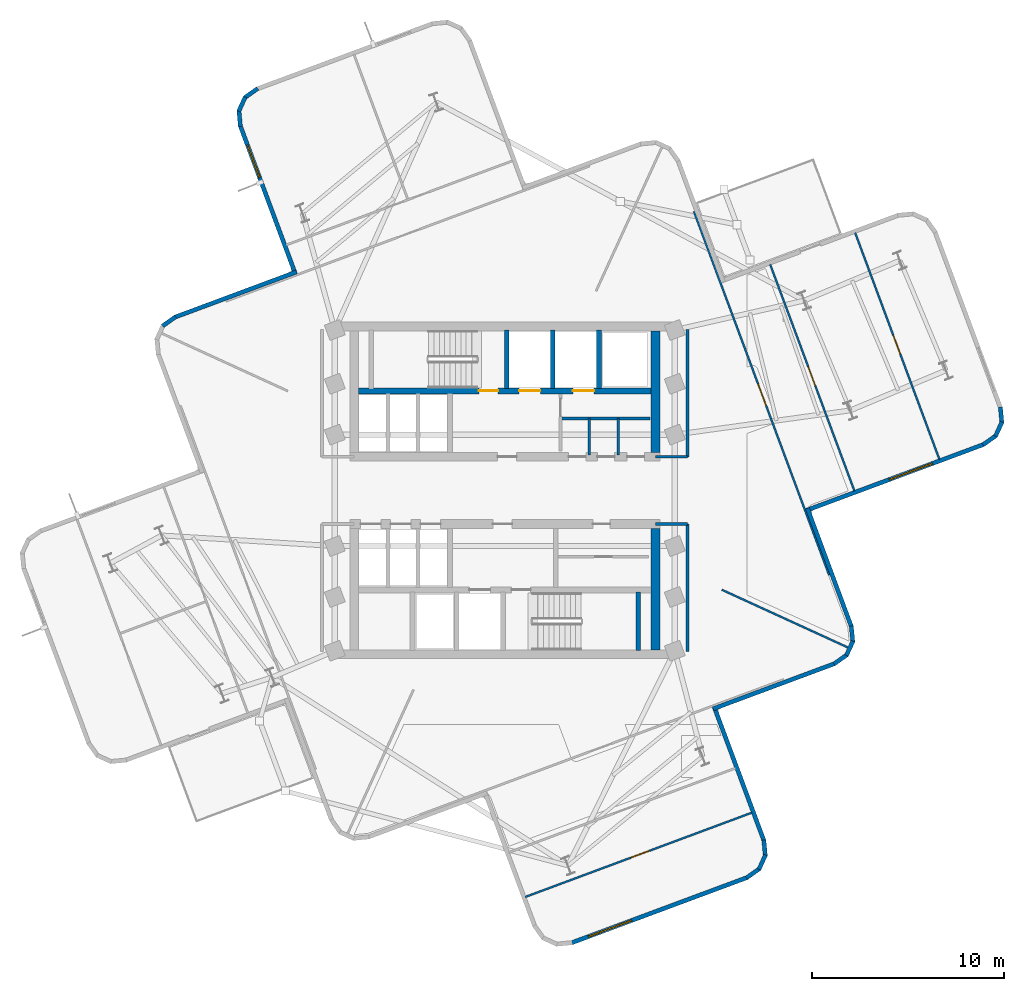
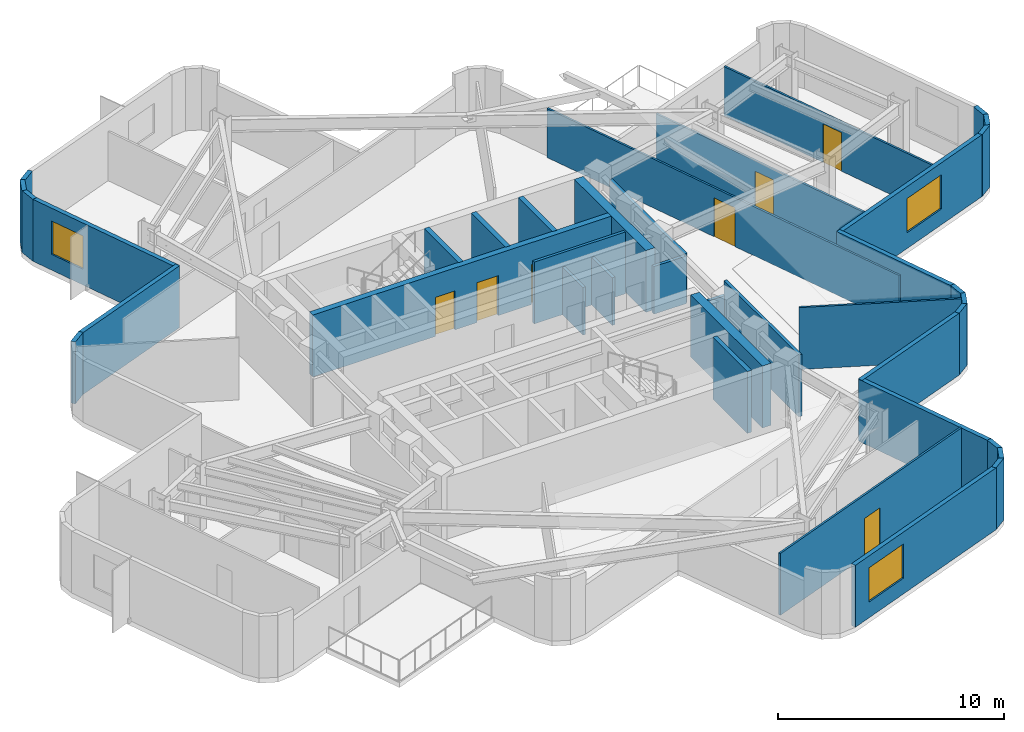
# One storey, part 4 of 8: 39 walls, 7 doors, 3 windows, 10 openings.
"""IFC4 building model written with IfcOpenShell, lengths in metres."""

from ifc_helpers import new_model, si_unit, direction, frame, frame_2d, origin, place, context, subcontext, project, spatial, rectangle, extrude, material, layer, layer_set, type_object, element, fill, save


model = new_model("IFC4")

# Units and contexts
model_context = context("Model", 3, precision=1e-05, world=origin(), true_north=direction((0.0, 1.0)))
body_context = subcontext(model_context, "Body", "Model", "MODEL_VIEW")
ifc_project = project(units=[si_unit("LENGTHUNIT", "METRE"), si_unit("AREAUNIT", "SQUARE_METRE"), si_unit("VOLUMEUNIT", "CUBIC_METRE"), si_unit("PLANEANGLEUNIT", "RADIAN"), si_unit("MASSUNIT", "GRAM", prefix="KILO")], contexts=[model_context])

# Site, building, storey
site_placement = place(None, origin())
site = spatial("IfcSite", under=ifc_project, at=site_placement, CompositionType="ELEMENT")
building_placement = place(site_placement, origin())
building = spatial("IfcBuilding", under=site, at=building_placement, Name="Solmarez Civic Tower", CompositionType="ELEMENT")
storey_placement = place(building_placement, frame((0.0, 0.0, 166.679931640625)))
storey = spatial("IfcBuildingStorey", under=building, at=storey_placement, Name="L44", CompositionType="ELEMENT", Elevation=166.679931640625)

# Walls
ifc_material_1 = material(Name="Concrete C50/60", Category="concrete")
ifc_layer_1 = layer(ifc_material_1, 0.449951171875)
ifc_layer_set_1 = layer_set([ifc_layer_1], Name="Concrete C50/60")
wall_type_1 = type_object("IfcWallType", Name="WALL-CORE-450", PredefinedType="SHEAR", material=ifc_layer_set_1)
for number, where, z_axis, x_axis, name in (
    (1, (7.844970703125, 8.31005859375, 0.0), (0.0, 0.0, 1.0), (0.0, -1.0, 0.0), "L44 Split-Core Structural Wall NCW-E-L44"),
    (2, (7.844970703125, -1.97509765625, 0.0), (0.0, 0.0, 1.0), (0.0, -1.0, 0.0), "L44 Split-Core Structural Wall SCW-E-L44"),
):
    element("IfcWall", number, at=place(storey_placement, frame(where, z_axis=z_axis, x_axis=x_axis)), inside=storey, type_object=wall_type_1, Name=name, PredefinedType="SHEAR", context=body_context, shape_type="SweptSolid", body=[
        extrude(rectangle(XDim=6.3349609375, YDim=0.449951171875, at=frame_2d((3.16748046875, 0.0))), origin(), (0.0, 0.0, 1.0), 3.340087890625),
    ])
ifc_material_2 = material(Name="Precast concrete C40/50", Category="concrete")
ifc_layer_2 = layer(ifc_material_2, 0.219970703125)
ifc_layer_set_2 = layer_set([ifc_layer_2], Name="Precast concrete C40/50")
wall_type_2 = type_object("IfcWallType", Name="WALL-EXT-220", PredefinedType="SOLIDWALL", material=ifc_layer_set_2)
wall_1_placement = place(storey_placement, frame((-17.81689453125, 8.556884765625, 0.0), z_axis=(0.0, 0.0, 1.0), x_axis=(0.815315167698, 0.579017424022, 0.0)))
element("IfcWall", 3, at=wall_1_placement, inside=storey, type_object=wall_type_2, Name="L44 Exterior Precast Wall 16", PredefinedType="SOLIDWALL", context=body_context, shape_type="SweptSolid", body=[
    extrude(rectangle(XDim=0.832763671875, YDim=0.219970703125, at=frame_2d((0.41650390625, 0.0))), origin(), (0.0, 0.0, 1.0), 3.340087890625),
])
wall_2_placement = place(storey_placement, frame((-17.180908203125, 9.01611328125, 0.0), z_axis=(0.0, 0.0, 1.0), x_axis=(0.937216908499, 0.34874699486, 0.0)))
element("IfcWall", 4, at=wall_2_placement, inside=storey, type_object=wall_type_2, Name="L44 Exterior Precast Wall 17", PredefinedType="SOLIDWALL", context=body_context, shape_type="SweptSolid", body=[
    extrude(rectangle(XDim=6.75830078125, YDim=0.219970703125, at=frame_2d((3.379150390625, 0.0))), origin(), (0.0, 0.0, 1.0), 3.340087890625),
])

# Wall, opening, window
wall_3_placement = place(storey_placement, frame((-10.89794921875, 11.260009765625, 0.0), z_axis=(0.0, 0.0, 1.0), x_axis=(-0.348682373258, 0.937240952252, 0.0)))
wall_3 = element("IfcWall", 5, at=wall_3_placement, inside=storey, type_object=wall_type_2, Name="L44 Exterior Precast Wall 20", PredefinedType="SOLIDWALL", context=body_context, shape_type="SweptSolid", body=[
    extrude(rectangle(XDim=8.25732421875, YDim=0.219970703125, at=frame_2d((4.128662109375, 0.0))), origin(), (0.0, 0.0, 1.0), 3.340087890625),
])
opening_1_placement = place(wall_3_placement, frame((5.35693359375, 0.0, 0.85009765625)))
opening_1 = element("IfcOpeningElement", 6, at=opening_1_placement, cuts=wall_3, Name="Opening W-08", PredefinedType="OPENING", context=body_context, shape_type="SweptSolid", body=[
    extrude(rectangle(XDim=1.800048828125, YDim=1.800048828125, at=frame_2d((0.89990234375, 0.89990234375))), frame((0.0, 0.119873046875, 0.0), z_axis=(0.0, -1.0, 0.0), x_axis=(1.0, 0.0, 0.0)), (0.0, 0.0, 1.0), 0.239990234375),
])
ifc_material_3 = material(Name="Solar Control Bronze-Tinted Insulating Glass", Category="glass")
window_type_1 = type_object("IfcWindowType", Name="WIN-1800X1800", PartitioningType="SINGLE_PANEL", PredefinedType="WINDOW", material=ifc_material_3)
window_1_placement = place(opening_1_placement, origin())
window_1 = element("IfcWindow", 7, at=window_1_placement, inside=storey, type_object=window_type_1, Name="L44 Exterior Facade Window 20", OverallHeight=1.800048828125, OverallWidth=1.800048828125, PartitioningType="SINGLE_PANEL", PredefinedType="WINDOW", context=body_context, shape_type="SweptSolid", body=[
    extrude(rectangle(XDim=1.800048828125, YDim=1.800048828125, at=frame_2d((0.89990234375, 0.89990234375))), frame((0.0, 0.030029296875, 0.0), z_axis=(0.0, -1.0, 0.0), x_axis=(1.0, 0.0, 0.0)), (0.0, 0.0, 1.0), 0.06005859375),
])
fill(opening_1, window_1)

# Walls
wall_4_placement = place(storey_placement, frame((-13.76611328125, 18.950927734375, 0.0), z_axis=(0.0, 0.0, 1.0), x_axis=(-0.09330446586, 0.995637623159, 0.0)))
element("IfcWall", 8, at=wall_4_placement, inside=storey, type_object=wall_type_2, Name="L44 Exterior Precast Wall 21", PredefinedType="SOLIDWALL", context=body_context, shape_type="SweptSolid", body=[
    extrude(rectangle(XDim=0.834716796875, YDim=0.219970703125, at=frame_2d((0.41748046875, 0.0))), origin(), (0.0, 0.0, 1.0), 3.340087890625),
])
wall_5_placement = place(storey_placement, frame((-13.85205078125, 19.73388671875, 0.0), z_axis=(0.0, 0.0, 1.0), x_axis=(0.41476734413, 0.909927497245, 0.0)))
element("IfcWall", 9, at=wall_5_placement, inside=storey, type_object=wall_type_2, Name="L44 Exterior Precast Wall 22", PredefinedType="SOLIDWALL", context=body_context, shape_type="SweptSolid", body=[
    extrude(rectangle(XDim=0.820068359375, YDim=0.219970703125, at=frame_2d((0.41015625, 0.0))), origin(), (0.0, 0.0, 1.0), 3.340087890625),
])
wall_6_placement = place(storey_placement, frame((-13.5419921875, 20.443115234375, 0.0), z_axis=(0.0, 0.0, 1.0), x_axis=(0.815845967165, 0.578269277984, 0.0)))
element("IfcWall", 10, at=wall_6_placement, inside=storey, type_object=wall_type_2, Name="L44 Exterior Precast Wall 23", PredefinedType="SOLIDWALL", context=body_context, shape_type="SweptSolid", body=[
    extrude(rectangle(XDim=0.83349609375, YDim=0.219970703125, at=frame_2d((0.416748046875, 0.0))), origin(), (0.0, 0.0, 1.0), 3.340087890625),
])
wall_7_placement = place(storey_placement, frame((25.801025390625, 4.343994140625, 0.0), z_axis=(0.0, 0.0, 1.0), x_axis=(0.09225198338, -0.995735693627, 0.0)))
element("IfcWall", 11, at=wall_7_placement, inside=storey, type_object=wall_type_2, Name="L44 Exterior Precast Wall 43", PredefinedType="SOLIDWALL", context=body_context, shape_type="SweptSolid", body=[
    extrude(rectangle(XDim=0.833740234375, YDim=0.219970703125, at=frame_2d((0.4169921875, 0.0))), origin(), (0.0, 0.0, 1.0), 3.340087890625),
])
wall_8_placement = place(storey_placement, frame((25.885986328125, 3.56201171875, 0.0), z_axis=(0.0, 0.0, 1.0), x_axis=(-0.41476734413, -0.909927497245, 0.0)))
element("IfcWall", 12, at=wall_8_placement, inside=storey, type_object=wall_type_2, Name="L44 Exterior Precast Wall 44", PredefinedType="SOLIDWALL", context=body_context, shape_type="SweptSolid", body=[
    extrude(rectangle(XDim=0.820068359375, YDim=0.219970703125, at=frame_2d((0.41015625, 0.0))), origin(), (0.0, 0.0, 1.0), 3.340087890625),
])
wall_9_placement = place(storey_placement, frame((25.575927734375, 2.85302734375, 0.0), z_axis=(0.0, 0.0, 1.0), x_axis=(-0.815453569677, -0.578822490666, 0.0)))
element("IfcWall", 13, at=wall_9_placement, inside=storey, type_object=wall_type_2, Name="L44 Exterior Precast Wall 45", PredefinedType="SOLIDWALL", context=body_context, shape_type="SweptSolid", body=[
    extrude(rectangle(XDim=0.83251953125, YDim=0.219970703125, at=frame_2d((0.416259765625, 0.0))), origin(), (0.0, 0.0, 1.0), 3.340087890625),
])

# Wall, opening, window
wall_10_placement = place(storey_placement, frame((24.93994140625, 2.39404296875, 0.0), z_axis=(0.0, 0.0, 1.0), x_axis=(-0.937259115868, -0.348633546468, 0.0)))
wall_10 = element("IfcWall", 14, at=wall_10_placement, inside=storey, type_object=wall_type_2, Name="L44 Exterior Precast Wall 46", PredefinedType="SOLIDWALL", context=body_context, shape_type="SweptSolid", body=[
    extrude(rectangle(XDim=9.858642578125, YDim=0.219970703125, at=frame_2d((4.92919921875, 0.0))), origin(), (0.0, 0.0, 1.0), 3.340087890625),
])
opening_2_placement = place(wall_10_placement, frame((2.85009765625, 0.0, 0.85009765625)))
opening_2 = element("IfcOpeningElement", 15, at=opening_2_placement, cuts=wall_10, Name="Opening W-06", PredefinedType="OPENING", context=body_context, shape_type="SweptSolid", body=[
    extrude(rectangle(XDim=2.39990234375, YDim=1.85009765625, at=frame_2d((1.199951171875, 0.925048828125))), frame((0.0, 0.119873046875, 0.0), z_axis=(0.0, -1.0, 0.0), x_axis=(1.0, 0.0, 0.0)), (0.0, 0.0, 1.0), 0.239990234375),
])
window_type_2 = type_object("IfcWindowType", Name="WIN-2400X1850", PartitioningType="SINGLE_PANEL", PredefinedType="WINDOW", material=ifc_material_3)
window_2_placement = place(opening_2_placement, origin())
window_2 = element("IfcWindow", 16, at=window_2_placement, inside=storey, type_object=window_type_2, Name="L44 Exterior Facade Window 46", OverallHeight=1.85009765625, OverallWidth=2.39990234375, PartitioningType="SINGLE_PANEL", PredefinedType="WINDOW", context=body_context, shape_type="SweptSolid", body=[
    extrude(rectangle(XDim=2.39990234375, YDim=1.85009765625, at=frame_2d((1.199951171875, 0.925048828125))), frame((0.0, 0.030029296875, 0.0), z_axis=(0.0, -1.0, 0.0), x_axis=(1.0, 0.0, 0.0)), (0.0, 0.0, 1.0), 0.06005859375),
])
fill(opening_2, window_2)

# Walls
wall_11_placement = place(storey_placement, frame((15.7509765625, -0.929931640625, 0.0), z_axis=(0.0, 0.0, 1.0), x_axis=(0.348729932868, -0.937223257246, 0.0)))
element("IfcWall", 17, at=wall_11_placement, inside=storey, type_object=wall_type_2, Name="L44 Exterior Precast Wall 49", PredefinedType="SOLIDWALL", context=body_context, shape_type="SweptSolid", body=[
    extrude(rectangle(XDim=6.598388671875, YDim=0.219970703125, at=frame_2d((3.29931640625, 0.0))), origin(), (0.0, 0.0, 1.0), 3.340087890625),
])
wall_12_placement = place(storey_placement, frame((18.041015625, -7.06591796875, 0.0), z_axis=(0.0, 0.0, 1.0), x_axis=(0.09330446586, -0.995637623159, 0.0)))
element("IfcWall", 18, at=wall_12_placement, inside=storey, type_object=wall_type_2, Name="L44 Exterior Precast Wall 50", PredefinedType="SOLIDWALL", context=body_context, shape_type="SweptSolid", body=[
    extrude(rectangle(XDim=0.834716796875, YDim=0.219970703125, at=frame_2d((0.41748046875, 0.0))), origin(), (0.0, 0.0, 1.0), 3.340087890625),
])
wall_13_placement = place(storey_placement, frame((18.126953125, -7.84912109375, 0.0), z_axis=(0.0, 0.0, 1.0), x_axis=(-0.415083126143, -0.909783489843, 0.0)))
element("IfcWall", 19, at=wall_13_placement, inside=storey, type_object=wall_type_2, Name="L44 Exterior Precast Wall 51", PredefinedType="SOLIDWALL", context=body_context, shape_type="SweptSolid", body=[
    extrude(rectangle(XDim=0.81884765625, YDim=0.219970703125, at=frame_2d((0.409423828125, 0.0))), origin(), (0.0, 0.0, 1.0), 3.340087890625),
])
wall_14_placement = place(storey_placement, frame((17.81689453125, -8.556884765625, 0.0), z_axis=(0.0, 0.0, 1.0), x_axis=(-0.815315167698, -0.579017424022, 0.0)))
element("IfcWall", 20, at=wall_14_placement, inside=storey, type_object=wall_type_2, Name="L44 Exterior Precast Wall 52", PredefinedType="SOLIDWALL", context=body_context, shape_type="SweptSolid", body=[
    extrude(rectangle(XDim=0.832763671875, YDim=0.219970703125, at=frame_2d((0.41650390625, 0.0))), origin(), (0.0, 0.0, 1.0), 3.340087890625),
])
wall_15_placement = place(storey_placement, frame((17.180908203125, -9.01611328125, 0.0), z_axis=(0.0, 0.0, 1.0), x_axis=(-0.937216908499, -0.34874699486, 0.0)))
element("IfcWall", 21, at=wall_15_placement, inside=storey, type_object=wall_type_2, Name="L44 Exterior Precast Wall 53", PredefinedType="SOLIDWALL", context=body_context, shape_type="SweptSolid", body=[
    extrude(rectangle(XDim=6.75830078125, YDim=0.219970703125, at=frame_2d((3.379150390625, 0.0))), origin(), (0.0, 0.0, 1.0), 3.340087890625),
])
wall_16_placement = place(storey_placement, frame((10.89794921875, -11.260009765625, 0.0), z_axis=(0.0, 0.0, 1.0), x_axis=(0.348636078187, -0.937258174137, 0.0)))
element("IfcWall", 22, at=wall_16_placement, inside=storey, type_object=wall_type_2, Name="L44 Exterior Precast Wall 56", PredefinedType="SOLIDWALL", context=body_context, shape_type="SweptSolid", body=[
    extrude(rectangle(XDim=7.4580078125, YDim=0.219970703125, at=frame_2d((3.72900390625, 0.0))), origin(), (0.0, 0.0, 1.0), 3.340087890625),
])
wall_17_placement = place(storey_placement, frame((13.487060546875, -18.201904296875, 0.0), z_axis=(0.0, 0.0, 1.0), x_axis=(0.093413278521, -0.99562741997, 0.0)))
element("IfcWall", 23, at=wall_17_placement, inside=storey, type_object=wall_type_2, Name="L44 Exterior Precast Wall 57", PredefinedType="SOLIDWALL", context=body_context, shape_type="SweptSolid", body=[
    extrude(rectangle(XDim=0.833740234375, YDim=0.219970703125, at=frame_2d((0.4169921875, 0.0))), origin(), (0.0, 0.0, 1.0), 3.340087890625),
])
wall_18_placement = place(storey_placement, frame((13.572998046875, -18.98388671875, 0.0), z_axis=(0.0, 0.0, 1.0), x_axis=(-0.41476734413, -0.909927497245, 0.0)))
element("IfcWall", 24, at=wall_18_placement, inside=storey, type_object=wall_type_2, Name="L44 Exterior Precast Wall 58", PredefinedType="SOLIDWALL", context=body_context, shape_type="SweptSolid", body=[
    extrude(rectangle(XDim=0.820068359375, YDim=0.219970703125, at=frame_2d((0.41015625, 0.0))), origin(), (0.0, 0.0, 1.0), 3.340087890625),
])
wall_19_placement = place(storey_placement, frame((13.262939453125, -19.693115234375, 0.0), z_axis=(0.0, 0.0, 1.0), x_axis=(-0.815453569677, -0.578822490666, 0.0)))
element("IfcWall", 25, at=wall_19_placement, inside=storey, type_object=wall_type_2, Name="L44 Exterior Precast Wall 59", PredefinedType="SOLIDWALL", context=body_context, shape_type="SweptSolid", body=[
    extrude(rectangle(XDim=0.83251953125, YDim=0.219970703125, at=frame_2d((0.416259765625, 0.0))), origin(), (0.0, 0.0, 1.0), 3.340087890625),
])

# Wall, opening, window
wall_20_placement = place(storey_placement, frame((12.626953125, -20.152099609375, 0.0), z_axis=(0.0, 0.0, 1.0), x_axis=(-0.937257326037, -0.348638358175, 0.0)))
wall_20 = element("IfcWall", 26, at=wall_20_placement, inside=storey, type_object=wall_type_2, Name="L44 Exterior Precast Wall 60", PredefinedType="SOLIDWALL", context=body_context, shape_type="SweptSolid", body=[
    extrude(rectangle(XDim=9.78076171875, YDim=0.219970703125, at=frame_2d((4.890380859375, 0.0))), origin(), (0.0, 0.0, 1.0), 3.340087890625),
])
opening_3_placement = place(wall_20_placement, frame((6.428955078125, 0.0, 0.85009765625)))
opening_3 = element("IfcOpeningElement", 27, at=opening_3_placement, cuts=wall_20, Name="Opening W-06", PredefinedType="OPENING", context=body_context, shape_type="SweptSolid", body=[
    extrude(rectangle(XDim=2.39990234375, YDim=1.85009765625, at=frame_2d((1.199951171875, 0.925048828125))), frame((0.0, 0.119873046875, 0.0), z_axis=(0.0, -1.0, 0.0), x_axis=(1.0, 0.0, 0.0)), (0.0, 0.0, 1.0), 0.239990234375),
])
window_3_placement = place(opening_3_placement, origin())
window_3 = element("IfcWindow", 28, at=window_3_placement, inside=storey, type_object=window_type_2, Name="L44 Exterior Facade Window 60", OverallHeight=1.85009765625, OverallWidth=2.39990234375, PartitioningType="SINGLE_PANEL", PredefinedType="WINDOW", context=body_context, shape_type="SweptSolid", body=[
    extrude(rectangle(XDim=2.39990234375, YDim=1.85009765625, at=frame_2d((1.199951171875, 0.925048828125))), frame((0.0, 0.030029296875, 0.0), z_axis=(0.0, -1.0, 0.0), x_axis=(1.0, 0.0, 0.0)), (0.0, 0.0, 1.0), 0.06005859375),
])
fill(opening_3, window_3)

# Walls
ifc_material_4 = material(Name="Gypsum Board Acoustic Steel-Stud Partition", Category="steel")
ifc_layer_3 = layer(ifc_material_4, 0.14990234375)
ifc_layer_set_3 = layer_set([ifc_layer_3], Name="Gypsum Board Acoustic Steel-Stud Partition")
wall_type_3 = type_object("IfcWallType", Name="WALL-INT-FIRE-150", PredefinedType="PARTITIONING", material=ifc_layer_set_3)
wall_21_placement = place(storey_placement, frame((9.52001953125, 1.75, 0.0), z_axis=(0.0, 0.0, 1.0), x_axis=(0.0, 1.0, 0.0)))
element("IfcWall", 29, at=wall_21_placement, inside=storey, type_object=wall_type_3, Name="L44 Interior Partition CHW-L44-EN1", PredefinedType="PARTITIONING", context=body_context, shape_type="SweptSolid", body=[
    extrude(rectangle(XDim=6.6298828125, YDim=0.14990234375, at=frame_2d((3.31494140625, 0.0))), origin(), (0.0, 0.0, 1.0), 2.64404296875),
])
wall_22_placement = place(storey_placement, frame((7.85009765625, 1.75, 0.0), z_axis=(0.0, 0.0, 1.0), x_axis=(1.0, 0.0, 0.0)))
element("IfcWall", 30, at=wall_22_placement, inside=storey, type_object=wall_type_3, Name="L44 Interior Partition CHW-L44-EN3", PredefinedType="PARTITIONING", context=body_context, shape_type="SweptSolid", body=[
    extrude(rectangle(XDim=1.669921875, YDim=0.14990234375, at=frame_2d((0.8349609375, 0.0))), origin(), (0.0, 0.0, 1.0), 2.570068359375),
])
wall_23_placement = place(storey_placement, frame((9.52001953125, -8.3798828125, 0.0), z_axis=(0.0, 0.0, 1.0), x_axis=(0.0, 1.0, 0.0)))
element("IfcWall", 31, at=wall_23_placement, inside=storey, type_object=wall_type_3, Name="L44 Interior Partition CHW-L44-ES1", PredefinedType="PARTITIONING", context=body_context, shape_type="SweptSolid", body=[
    extrude(rectangle(XDim=6.6298828125, YDim=0.14990234375, at=frame_2d((3.31494140625, 0.0))), origin(), (0.0, 0.0, 1.0), 3.340087890625),
])
wall_24_placement = place(storey_placement, frame((7.85009765625, -1.75, 0.0), z_axis=(0.0, 0.0, 1.0), x_axis=(1.0, 0.0, 0.0)))
element("IfcWall", 32, at=wall_24_placement, inside=storey, type_object=wall_type_3, Name="L44 Interior Partition CHW-L44-ES3", PredefinedType="PARTITIONING", context=body_context, shape_type="SweptSolid", body=[
    extrude(rectangle(XDim=1.669921875, YDim=0.14990234375, at=frame_2d((0.8349609375, 0.0))), origin(), (0.0, 0.0, 1.0), 2.570068359375),
])
ifc_layer_4 = layer(ifc_material_4, 0.10009765625)
ifc_layer_set_4 = layer_set([ifc_layer_4], Name="Gypsum Board Acoustic Steel-Stud Partition")
wall_type_4 = type_object("IfcWallType", Name="WALL-INT-PART-100", PredefinedType="PARTITIONING", material=ifc_layer_set_4)
wall_25_placement = place(storey_placement, frame((11.300048828125, -5.174072265625, 0.0), z_axis=(0.0, 0.0, 1.0), x_axis=(0.909275268701, -0.416195249528, 0.0)))
element("IfcWall", 33, at=wall_25_placement, inside=storey, type_object=wall_type_4, Name="L44 Interior Partition PT-L44-QDIV-4", PredefinedType="PARTITIONING", context=body_context, shape_type="SweptSolid", body=[
    extrude(rectangle(XDim=7.246337890625, YDim=0.10009765625, at=frame_2d((3.623046875, 0.0))), origin(), (0.0, 0.0, 1.0), 3.340087890625),
])

# Wall, opening, door
wall_26_placement = place(storey_placement, frame((9.845947265625, 14.52197265625, 0.0), z_axis=(0.0, 0.0, 1.0), x_axis=(0.348543090668, -0.937292757866, 0.0)))
wall_26 = element("IfcWall", 34, at=wall_26_placement, inside=storey, type_object=wall_type_4, Name="L44 Interior Partition PT-L44-E-ENT", PredefinedType="PARTITIONING", context=body_context, shape_type="SweptSolid", body=[
    extrude(rectangle(XDim=20.198486328125, YDim=0.10009765625, at=frame_2d((10.09912109375, 0.0))), origin(), (0.0, 0.0, 1.0), 2.64404296875),
])
opening_4_placement = place(wall_26_placement, frame((9.5791015625, 0.0, 0.0)))
opening_4 = element("IfcOpeningElement", 35, at=opening_4_placement, cuts=wall_26, Name="Opening D-11", PredefinedType="OPENING", context=body_context, shape_type="SweptSolid", body=[
    extrude(rectangle(XDim=1.199951171875, YDim=2.10009765625, at=frame_2d((0.60009765625, 1.050048828125))), frame((0.0, 0.06005859375, 0.0), z_axis=(0.0, -1.0, 0.0), x_axis=(1.0, 0.0, 0.0)), (0.0, 0.0, 1.0), 0.1201171875),
])
ifc_material_5 = material(Name="Glazed-Vision Acoustic Chamber Door", Category="wood")
door_type_1 = type_object("IfcDoorType", Name="DOOR-INT-1200", OperationType="NOTDEFINED", PredefinedType="DOOR", material=ifc_material_5)
door_1_placement = place(opening_4_placement, origin())
door_1 = element("IfcDoor", 36, at=door_1_placement, inside=storey, type_object=door_type_1, Name="L44 Tribunal Chamber Co-Working Policy Workspace First East Door", OperationType="SINGLE_SWING_LEFT", OverallHeight=2.10009765625, OverallWidth=1.199951171875, PredefinedType="DOOR", context=body_context, shape_type="SweptSolid", body=[
    extrude(rectangle(XDim=1.199951171875, YDim=2.10009765625, at=frame_2d((0.60009765625, 1.050048828125))), frame((0.0, 0.02490234375, 0.0), z_axis=(0.0, -1.0, 0.0), x_axis=(1.0, 0.0, 0.0)), (0.0, 0.0, 1.0), 0.050048828125),
])
fill(opening_4, door_1)

wall_27_placement = place(storey_placement, frame((13.81396484375, 11.76806640625, 0.0), z_axis=(0.0, 0.0, 1.0), x_axis=(0.348608135993, -0.937268567445, 0.0)))
wall_27 = element("IfcWall", 37, at=wall_27_placement, inside=storey, type_object=wall_type_4, Name="L44 Interior Partition PT-L44-E-SC1", PredefinedType="PARTITIONING", context=body_context, shape_type="SweptSolid", body=[
    extrude(rectangle(XDim=12.58984375, YDim=0.10009765625, at=frame_2d((6.294921875, 0.0))), origin(), (0.0, 0.0, 1.0), 2.64404296875),
])
opening_5_placement = place(wall_27_placement, frame((5.68994140625, 0.0, 0.0)))
opening_5 = element("IfcOpeningElement", 38, at=opening_5_placement, cuts=wall_27, Name="Opening D-13", PredefinedType="OPENING", context=body_context, shape_type="SweptSolid", body=[
    extrude(rectangle(XDim=1.050048828125, YDim=2.080078125, at=frame_2d((0.52490234375, 1.0400390625))), frame((0.0, 0.06005859375, 0.0), z_axis=(0.0, -1.0, 0.0), x_axis=(1.0, 0.0, 0.0)), (0.0, 0.0, 1.0), 0.1201171875),
])
ifc_material_6 = material(Name="Timber Directorate Office Door", Category="wood")
door_type_2 = type_object("IfcDoorType", Name="DOOR-INT-1050", OperationType="NOTDEFINED", PredefinedType="DOOR", material=ifc_material_6)
door_2_placement = place(opening_5_placement, origin())
door_2 = element("IfcDoor", 39, at=door_2_placement, inside=storey, type_object=door_type_2, Name="L44 Breakout Huddle Room East Door", OperationType="SINGLE_SWING_LEFT", OverallHeight=2.080078125, OverallWidth=1.050048828125, PredefinedType="DOOR", context=body_context, shape_type="SweptSolid", body=[
    extrude(rectangle(XDim=1.050048828125, YDim=2.080078125, at=frame_2d((0.52490234375, 1.0400390625))), frame((0.0, 0.02490234375, 0.0), z_axis=(0.0, -1.0, 0.0), x_axis=(1.0, 0.0, 0.0)), (0.0, 0.0, 1.0), 0.050048828125),
])
fill(opening_5, door_2)

wall_28_placement = place(storey_placement, frame((18.239013671875, 13.4140625, 0.0), z_axis=(0.0, 0.0, 1.0), x_axis=(0.348514653153, -0.937303332192, 0.0)))
wall_28 = element("IfcWall", 40, at=wall_28_placement, inside=storey, type_object=wall_type_4, Name="L44 Interior Partition PT-L44-E-SC2", PredefinedType="PARTITIONING", context=body_context, shape_type="SweptSolid", body=[
    extrude(rectangle(XDim=12.59033203125, YDim=0.10009765625, at=frame_2d((6.295166015625, 0.0))), origin(), (0.0, 0.0, 1.0), 2.64404296875),
])
opening_6_placement = place(wall_28_placement, frame((5.69091796875, 0.0, 0.0)))
opening_6 = element("IfcOpeningElement", 41, at=opening_6_placement, cuts=wall_28, Name="Opening D-13", PredefinedType="OPENING", context=body_context, shape_type="SweptSolid", body=[
    extrude(rectangle(XDim=1.050048828125, YDim=2.080078125, at=frame_2d((0.52490234375, 1.0400390625))), frame((0.0, 0.06005859375, 0.0), z_axis=(0.0, -1.0, 0.0), x_axis=(1.0, 0.0, 0.0)), (0.0, 0.0, 1.0), 0.1201171875),
])
door_3_placement = place(opening_6_placement, origin())
door_3 = element("IfcDoor", 42, at=door_3_placement, inside=storey, type_object=door_type_2, Name="L44 Staff Tea Pantry East Door", OperationType="SINGLE_SWING_RIGHT", OverallHeight=2.080078125, OverallWidth=1.050048828125, PredefinedType="DOOR", context=body_context, shape_type="SweptSolid", body=[
    extrude(rectangle(XDim=1.050048828125, YDim=2.080078125, at=frame_2d((0.52490234375, 1.0400390625))), frame((0.0, 0.02490234375, 0.0), z_axis=(0.0, -1.0, 0.0), x_axis=(1.0, 0.0, 0.0)), (0.0, 0.0, 1.0), 0.050048828125),
])
fill(opening_6, door_3)

wall_29_placement = place(storey_placement, frame((12.8701171875, -16.77587890625, 0.0), z_axis=(0.0, 0.0, 1.0), x_axis=(-0.937262231235, -0.348625171066, 0.0)))
wall_29 = element("IfcWall", 43, at=wall_29_placement, inside=storey, type_object=wall_type_4, Name="L44 Interior Partition PT-L44-S-SC2", PredefinedType="PARTITIONING", context=body_context, shape_type="SweptSolid", body=[
    extrude(rectangle(XDim=12.58984375, YDim=0.10009765625, at=frame_2d((6.294921875, 0.0))), origin(), (0.0, 0.0, 1.0), 3.340087890625),
])
opening_7_placement = place(wall_29_placement, frame((5.68994140625, 0.0, 0.0)))
opening_7 = element("IfcOpeningElement", 44, at=opening_7_placement, cuts=wall_29, Name="Opening D-13", PredefinedType="OPENING", context=body_context, shape_type="SweptSolid", body=[
    extrude(rectangle(XDim=1.050048828125, YDim=2.080078125, at=frame_2d((0.52490234375, 1.0400390625))), frame((0.0, 0.06005859375, 0.0), z_axis=(0.0, -1.0, 0.0), x_axis=(1.0, 0.0, 0.0)), (0.0, 0.0, 1.0), 0.1201171875),
])
door_4_placement = place(opening_7_placement, origin())
door_4 = element("IfcDoor", 45, at=door_4_placement, inside=storey, type_object=door_type_2, Name="L44 Municipal Mailroom South Door", OperationType="SINGLE_SWING_RIGHT", OverallHeight=2.080078125, OverallWidth=1.050048828125, PredefinedType="DOOR", context=body_context, shape_type="SweptSolid", body=[
    extrude(rectangle(XDim=1.050048828125, YDim=2.080078125, at=frame_2d((0.52490234375, 1.0400390625))), frame((0.0, 0.02490234375, 0.0), z_axis=(0.0, -1.0, 0.0), x_axis=(1.0, 0.0, 0.0)), (0.0, 0.0, 1.0), 0.050048828125),
])
fill(opening_7, door_4)

# Walls
ifc_layer_5 = layer(ifc_material_4, 0.137939453125)
ifc_layer_set_5 = layer_set([ifc_layer_5], Name="Gypsum Board Acoustic Steel-Stud Partition")
wall_type_5 = type_object("IfcWallType", Name="WALL-INT-WET-140", PredefinedType="PARTITIONING", material=ifc_layer_set_5)
wall_30_placement = place(storey_placement, frame((2.89990234375, 3.739990234375, 0.0), z_axis=(0.0, 0.0, 1.0), x_axis=(1.0, 0.0, 0.0)))
element("IfcWall", 46, at=wall_30_placement, inside=storey, type_object=wall_type_5, Name="L44 Interior Partition SHW-SVH-L44", PredefinedType="PARTITIONING", context=body_context, shape_type="SweptSolid", body=[
    extrude(rectangle(XDim=4.650146484375, YDim=0.137939453125, at=frame_2d((2.3251953125, 0.0))), origin(), (0.0, 0.0, 1.0), 3.340087890625),
])
for number, where, z_axis, x_axis, name in (
    (47, (4.39990234375, 1.85009765625, 0.0), (0.0, 0.0, 1.0), (0.0, 1.0, 0.0), "L44 Interior Partition PT-NCSV1-L44"),
    (48, (5.89990234375, 1.85009765625, 0.0), (0.0, 0.0, 1.0), (0.0, 1.0, 0.0), "L44 Interior Partition PT-NCSV2-L44"),
):
    element("IfcWall", number, at=place(storey_placement, frame(where, z_axis=z_axis, x_axis=x_axis)), inside=storey, type_object=wall_type_5, Name=name, PredefinedType="PARTITIONING", context=body_context, shape_type="SweptSolid", body=[
        extrude(rectangle(XDim=1.889892578125, YDim=0.137939453125, at=frame_2d((0.94482421875, 0.0))), origin(), (0.0, 0.0, 1.0), 2.570068359375),
    ])

# Wall, openings, doors
ifc_layer_6 = layer(ifc_material_1, 0.300048828125)
ifc_layer_set_6 = layer_set([ifc_layer_6], Name="Concrete C50/60")
wall_type_6 = type_object("IfcWallType", Name="WALL-STR-300", PredefinedType="SOLIDWALL", material=ifc_layer_set_6)
wall_31_placement = place(storey_placement, frame((7.6201171875, 5.179931640625, 0.0), z_axis=(0.0, 0.0, 1.0), x_axis=(-1.0, 0.0, 0.0)))
wall_31 = element("IfcWall", 49, at=wall_31_placement, inside=storey, type_object=wall_type_6, Name="L44 Split-Core Structural Wall NCW-M-L44", PredefinedType="SOLIDWALL", context=body_context, shape_type="SweptSolid", body=[
    extrude(rectangle(XDim=15.240234375, YDim=0.300048828125, at=frame_2d((7.6201171875, 0.0))), origin(), (0.0, 0.0, 1.0), 3.340087890625),
])
opening_8_placement = place(wall_31_placement, frame((5.77001953125, 0.0, 0.0)))
opening_8 = element("IfcOpeningElement", 50, at=opening_8_placement, cuts=wall_31, Name="Opening LD-02", PredefinedType="OPENING", context=body_context, shape_type="SweptSolid", body=[
    extrude(rectangle(XDim=1.10009765625, YDim=2.14990234375, at=frame_2d((0.550048828125, 1.074951171875))), frame((0.0, 0.159912109375, 0.0), z_axis=(0.0, -1.0, 0.0), x_axis=(1.0, 0.0, 0.0)), (0.0, 0.0, 1.0), 0.320068359375),
])
opening_9_placement = place(wall_31_placement, frame((2.969970703125, 0.0, 0.0)))
opening_9 = element("IfcOpeningElement", 51, at=opening_9_placement, cuts=wall_31, Name="Opening LD-03", PredefinedType="OPENING", context=body_context, shape_type="SweptSolid", body=[
    extrude(rectangle(XDim=1.10009765625, YDim=2.14990234375, at=frame_2d((0.550048828125, 1.074951171875))), frame((0.0, 0.159912109375, 0.0), z_axis=(0.0, -1.0, 0.0), x_axis=(1.0, 0.0, 0.0)), (0.0, 0.0, 1.0), 0.320068359375),
])
opening_10_placement = place(wall_31_placement, frame((7.969970703125, 0.0, 0.0)))
opening_10 = element("IfcOpeningElement", 52, at=opening_10_placement, cuts=wall_31, Name="Opening D-05", PredefinedType="OPENING", context=body_context, shape_type="SweptSolid", body=[
    extrude(rectangle(XDim=1.0, YDim=2.10009765625, at=frame_2d((0.5, 1.050048828125))), frame((0.0, 0.159912109375, 0.0), z_axis=(0.0, -1.0, 0.0), x_axis=(1.0, 0.0, 0.0)), (0.0, 0.0, 1.0), 0.320068359375),
])
ifc_material_7 = material(Name="Fire-Rated Stairwell Exit Door", Category="wood")
door_type_3 = type_object("IfcDoorType", Name="DOOR-FD90-1000", OperationType="NOTDEFINED", PredefinedType="DOOR", material=ifc_material_7)
door_5_placement = place(opening_10_placement, origin())
door_5 = element("IfcDoor", 53, at=door_5_placement, inside=storey, type_object=door_type_3, Name="L44 North Exit Stair Door ST-1", OperationType="SINGLE_SWING_LEFT", OverallHeight=2.10009765625, OverallWidth=1.0, PredefinedType="DOOR", context=body_context, shape_type="SweptSolid", body=[
    extrude(rectangle(XDim=1.0, YDim=2.10009765625, at=frame_2d((0.5, 1.050048828125))), frame((0.0, 0.02490234375, 0.0), z_axis=(0.0, -1.0, 0.0), x_axis=(1.0, 0.0, 0.0)), (0.0, 0.0, 1.0), 0.050048828125),
])
fill(opening_10, door_5)
ifc_material_8 = material(Name="Stainless Firefighting Lift Landing Sliding Door", Category="aluminium")
door_type_4 = type_object("IfcDoorType", Name="DOOR-LD-FF-1100", OperationType="DOUBLE_DOOR_SLIDING", PredefinedType="DOOR", material=ifc_material_8)
door_6_placement = place(opening_8_placement, origin())
door_6 = element("IfcDoor", 54, at=door_6_placement, inside=storey, type_object=door_type_4, Name="L44 Firefighting Lift Landing Door FFL-1", OperationType="DOUBLE_DOOR_SLIDING", OverallHeight=2.14990234375, OverallWidth=1.10009765625, PredefinedType="DOOR", context=body_context, shape_type="SweptSolid", body=[
    extrude(rectangle(XDim=1.10009765625, YDim=2.14990234375, at=frame_2d((0.550048828125, 1.074951171875))), frame((0.0, 0.02490234375, 0.0), z_axis=(0.0, -1.0, 0.0), x_axis=(1.0, 0.0, 0.0)), (0.0, 0.0, 1.0), 0.050048828125),
])
fill(opening_8, door_6)
ifc_material_9 = material(Name="Stainless Stretcher Lift Landing Sliding Door", Category="aluminium")
door_type_5 = type_object("IfcDoorType", Name="DOOR-LD-SV-1100", OperationType="DOUBLE_DOOR_SLIDING", PredefinedType="DOOR", material=ifc_material_9)
door_7_placement = place(opening_9_placement, origin())
door_7 = element("IfcDoor", 55, at=door_7_placement, inside=storey, type_object=door_type_5, Name="L44 Service Stretcher Lift Landing Door SVL-1", OperationType="DOUBLE_DOOR_SLIDING", OverallHeight=2.14990234375, OverallWidth=1.10009765625, PredefinedType="DOOR", context=body_context, shape_type="SweptSolid", body=[
    extrude(rectangle(XDim=1.10009765625, YDim=2.14990234375, at=frame_2d((0.550048828125, 1.074951171875))), frame((0.0, 0.02490234375, 0.0), z_axis=(0.0, -1.0, 0.0), x_axis=(1.0, 0.0, 0.0)), (0.0, 0.0, 1.0), 0.050048828125),
])
fill(opening_9, door_7)

# Walls
wall_32_placement = place(storey_placement, frame((6.949951171875, -8.340087890625, 0.0), z_axis=(0.0, 0.0, 1.0), x_axis=(0.0, 1.0, 0.0)))
element("IfcWall", 56, at=wall_32_placement, inside=storey, type_object=wall_type_6, Name="L44 Split-Core Structural Wall SHW-SE-L44", PredefinedType="SOLIDWALL", context=body_context, shape_type="SweptSolid", body=[
    extrude(rectangle(XDim=3.06005859375, YDim=0.219970703125, at=frame_2d((1.530029296875, 0.0))), origin(), (0.0, 0.0, 1.0), 3.340087890625),
])
for number, where, z_axis, x_axis, name in (
    (57, (0.10009765625, 5.300048828125, 0.0), (0.0, 0.0, 1.0), (0.0, 1.0, 0.0), "L44 Split-Core Structural Wall SHW-N1-L44"),
    (58, (2.5, 5.300048828125, 0.0), (0.0, 0.0, 1.0), (0.0, 1.0, 0.0), "L44 Split-Core Structural Wall SHW-N2-L44"),
    (59, (4.89990234375, 5.300048828125, 0.0), (0.0, 0.0, 1.0), (0.0, 1.0, 0.0), "L44 Split-Core Structural Wall SHW-N3-L44"),
):
    element("IfcWall", number, at=place(storey_placement, frame(where, z_axis=z_axis, x_axis=x_axis)), inside=storey, type_object=wall_type_6, Name=name, PredefinedType="SOLIDWALL", context=body_context, shape_type="SweptSolid", body=[
        extrude(rectangle(XDim=3.0400390625, YDim=0.25, at=frame_2d((1.52001953125, 0.0))), origin(), (0.0, 0.0, 1.0), 3.340087890625),
    ])

save(model, "model.ifc")
